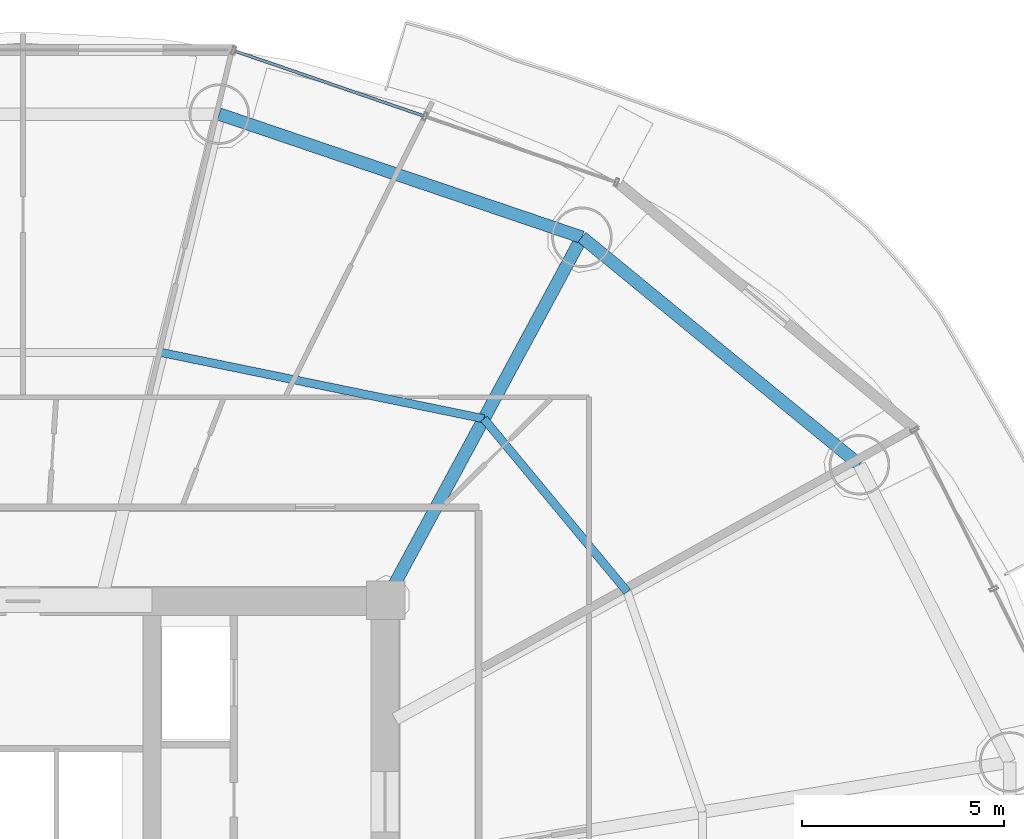
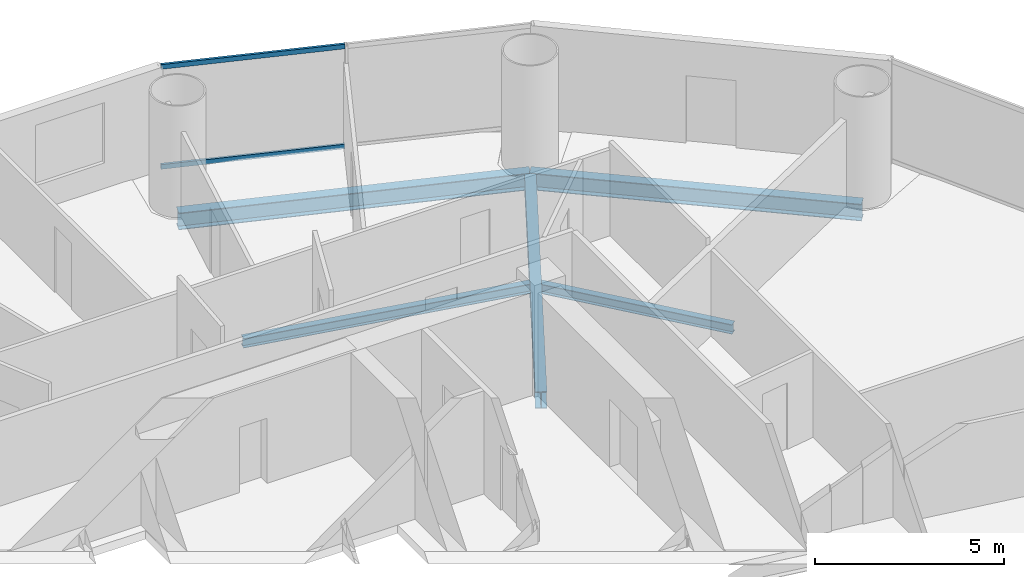
# One storey, part 19 of 29: 5 beams, 2 members, 1 element without a shape of its own.
"""IFC4 building model written with IfcOpenShell, lengths in metres."""

import ifcopenshell
import ifcopenshell.guid

model = None  # the IFC model being written
_history = None  # IfcOwnerHistory: only IFC2X3 demands one
_inside = {}  # id of a spatial element -> (the spatial element, [elements in it])
_under = {}  # id of a project, library or spatial element -> (it, [spatial elements below it])
_declared = {}  # id of a project -> (the project, [libraries it declares])
_typed = {}  # id of a type object -> (the type object, [elements of that type])
_made_of = {}  # id of a material, layer set ... -> (it, [elements and type objects made of it])


def new_model(schema):
    """Start an empty IFC model of exactly this schema.

    Asked for "IFC4X3", IfcOpenShell would pick the latest addendum, in which some entities
    have other attributes; the version numbers below select the first issue.
    IFC2X3 requires an IfcOwnerHistory on every rooted entity: one is made here for all.
    """
    global model, _history
    if schema == "IFC4X3":
        model = ifcopenshell.file(schema_version=(4, 3, 0, 0))
    else:
        model = ifcopenshell.file(schema=schema)
    _inside.clear()
    _under.clear()
    _declared.clear()
    _typed.clear()
    _made_of.clear()
    _history = None
    if model.schema == "IFC2X3":
        org = make("IfcOrganization", Name="unknown")
        user = make(
            "IfcPersonAndOrganization",
            ThePerson=make("IfcPerson", FamilyName="unknown"),
            TheOrganization=org,
        )
        app = make(
            "IfcApplication",
            ApplicationDeveloper=org,
            Version="unknown",
            ApplicationFullName="unknown",
            ApplicationIdentifier="unknown",
        )
        _history = make(
            "IfcOwnerHistory",
            OwningUser=user,
            OwningApplication=app,
            ChangeAction="ADDED",
            CreationDate=0,
        )
    return model


def make(cls, **values):
    """One entity of the class cls with the attributes given. An attribute that is None is left unset."""
    return model.create_entity(
        cls, **{name: value for name, value in values.items() if value is not None}
    )


def rooted(cls, **values):
    """An entity with a GlobalId (a new one), such as an element, a storey or a relation."""
    return make(cls, GlobalId=ifcopenshell.guid.new(), OwnerHistory=_history, **values)


def si_unit(unit_type, name, prefix=None):
    """IfcSIUnit, for example si_unit("LENGTHUNIT", "METRE", prefix="MILLI")."""
    return make("IfcSIUnit", UnitType=unit_type, Prefix=prefix, Name=name)


def assignment(units):
    """IfcUnitAssignment: the units of a project."""
    return None if units is None else make("IfcUnitAssignment", Units=units)


def point(xyz):
    """IfcCartesianPoint."""
    return None if xyz is None else make("IfcCartesianPoint", Coordinates=xyz)


def direction(xyz):
    """IfcDirection."""
    return None if xyz is None else make("IfcDirection", DirectionRatios=xyz)


def frame(location, z_axis=None, x_axis=None):
    """IfcAxis2Placement3D, a coordinate frame: its origin and axes. An axis left out is left unset."""
    return make(
        "IfcAxis2Placement3D",
        Location=point(location),
        Axis=direction(z_axis),
        RefDirection=direction(x_axis),
    )


def frame_2d(location, x_axis=None):
    """IfcAxis2Placement2D, a coordinate frame in the plane: its origin and x axis."""
    return make(
        "IfcAxis2Placement2D", Location=point(location), RefDirection=direction(x_axis)
    )


def origin():
    """The frame at (0, 0, 0) with its axes left unset."""
    return frame((0.0, 0.0, 0.0))


def origin_2d():
    """The frame at (0, 0) in the plane with its x axis left unset."""
    return frame_2d((0.0, 0.0))


def place(relative_to, where):
    """IfcLocalPlacement: puts the frame where relative to a parent placement (None: the world)."""
    return make(
        "IfcLocalPlacement", PlacementRelTo=relative_to, RelativePlacement=where
    )


def context(
    kind, dimensions, precision=None, world=None, true_north=None, identifier=None
):
    """IfcGeometricRepresentationContext, for example the 3D "Model" context."""
    return make(
        "IfcGeometricRepresentationContext",
        ContextIdentifier=identifier,
        ContextType=kind,
        CoordinateSpaceDimension=dimensions,
        Precision=precision,
        WorldCoordinateSystem=world,
        TrueNorth=true_north,
    )


def subcontext(parent, identifier, kind, view, scale=None):
    """IfcGeometricRepresentationSubContext, for example "Body" below "Model"."""
    return make(
        "IfcGeometricRepresentationSubContext",
        ContextIdentifier=identifier,
        ContextType=kind,
        ParentContext=parent,
        TargetScale=scale,
        TargetView=view,
    )


def project(units=None, contexts=None):
    """IfcProject with its units and contexts."""
    return rooted(
        "IfcProject",
        Name="project",
        RepresentationContexts=contexts,
        UnitsInContext=assignment(units),
    )


def spatial(cls, under=None, at=None, **own):
    """A site, building, storey or space (cls), placed at a placement, below another one or the project."""
    s = rooted(cls, ObjectPlacement=at, **own)
    if under is not None:
        _under.setdefault(under.id(), (under, []))[1].append(s)
    return s


def profile(cls, at=None, kind="AREA", **sizes):
    """A parametric profile (cls). Its sizes go by their IFC names, for example OverallWidth=200.0."""
    return make(cls, ProfileType=kind, Position=at, **sizes)


def hollow_rectangle(**sizes):
    """IfcRectangleHollowProfileDef."""
    return profile("IfcRectangleHollowProfileDef", **sizes)


def i_section(**sizes):
    """IfcIShapeProfileDef."""
    return profile("IfcIShapeProfileDef", **sizes)


def extrude(swept, where, along, depth):
    """IfcExtrudedAreaSolid: the profile swept, set in the frame where, extruded along a direction by depth."""
    return make(
        "IfcExtrudedAreaSolid",
        SweptArea=swept,
        Position=where,
        ExtrudedDirection=direction(along),
        Depth=depth,
    )


def shape(context_of_items, identifier, shape_type, items):
    """IfcShapeRepresentation: the items that make up one representation, for example the "Body"."""
    return make(
        "IfcShapeRepresentation",
        ContextOfItems=context_of_items,
        RepresentationIdentifier=identifier,
        RepresentationType=shape_type,
        Items=items,
    )


def source(mapping_origin, context_of_items, identifier, shape_type, items):
    """IfcRepresentationMap: a shape defined once, which mapped items show again and again."""
    return make(
        "IfcRepresentationMap",
        MappingOrigin=mapping_origin,
        MappedRepresentation=shape(context_of_items, identifier, shape_type, items),
    )


def transform(
    local_origin,
    x_axis=None,
    y_axis=None,
    z_axis=None,
    scale=None,
    scale2=None,
    scale3=None,
    uniform=True,
):
    """IfcCartesianTransformationOperator3D, or its non-uniform kind. x_axis, y_axis, z_axis: its Axis1, 2, 3."""
    if uniform:
        return make(
            "IfcCartesianTransformationOperator3D",
            Axis1=direction(x_axis),
            Axis2=direction(y_axis),
            LocalOrigin=point(local_origin),
            Scale=scale,
            Axis3=direction(z_axis),
        )
    return make(
        "IfcCartesianTransformationOperator3DnonUniform",
        Axis1=direction(x_axis),
        Axis2=direction(y_axis),
        LocalOrigin=point(local_origin),
        Scale=scale,
        Axis3=direction(z_axis),
        Scale2=scale2,
        Scale3=scale3,
    )


def mapped(mapping_source, mapping_target):
    """IfcMappedItem: shows the shape of a source again, moved by a transform."""
    return make(
        "IfcMappedItem", MappingSource=mapping_source, MappingTarget=mapping_target
    )


def material(Name=None, Category=None):
    """IfcMaterial."""
    return make("IfcMaterial", Name=Name, Category=Category)


def material_profile(
    of_material, cross_section, Name=None, Category=None, Priority=None
):
    """IfcMaterialProfile: a cross section and its material."""
    return make(
        "IfcMaterialProfile",
        Name=Name,
        Material=of_material,
        Profile=cross_section,
        Priority=Priority,
        Category=Category,
    )


def profile_set(profiles, Name=None, composite=None):
    """IfcMaterialProfileSet."""
    return make(
        "IfcMaterialProfileSet",
        Name=Name,
        MaterialProfiles=profiles,
        CompositeProfile=composite,
    )


def made_of(thing, what):
    """Note that an element or type object is made of a material, layer set ...; save() writes the relation."""
    if what is not None:
        _made_of.setdefault(what.id(), (what, []))[1].append(thing)
    return thing


def type_object(cls, material=None, **own):
    """A type object (cls), such as IfcWallType, which elements share."""
    return made_of(rooted(cls, **own), material)


def element(
    cls,
    number,
    at=None,
    inside=None,
    cuts=None,
    type_object=None,
    material=None,
    context=None,
    identifier="Body",
    shape_type=None,
    held_by="IfcProductDefinitionShape",
    body=None,
    shapes=None,
    **own,
):
    """One element of the class cls, such as IfcWall. Its Tag is "e" and its number.

    at: its placement. inside: the storey or other place that contains it. cuts: it is an
    opening in that element (IfcRelVoidsElement). A single representation is given by context,
    identifier, shape_type and body (its items); several are given by shapes. held_by: the class
    of the entity that holds the representations. save() writes the other relations.
    """
    e = rooted(cls, Tag="e%d" % number, ObjectPlacement=at, **own)
    if body is not None:
        shapes = [shape(context, identifier, shape_type, body)]
    if shapes is not None:
        e.Representation = make(held_by, Representations=shapes)
    if inside is not None:
        _inside.setdefault(inside.id(), (inside, []))[1].append(e)
    if cuts is not None:
        rooted(
            "IfcRelVoidsElement", RelatingBuildingElement=cuts, RelatedOpeningElement=e
        )
    if type_object is not None:
        _typed.setdefault(type_object.id(), (type_object, []))[1].append(e)
    return made_of(e, material)


def aggregate(whole, parts):
    """IfcRelAggregates: a whole, such as a stair, and the parts it consists of."""
    return rooted("IfcRelAggregates", RelatingObject=whole, RelatedObjects=parts)


def save(model, path):
    """Write the relations noted so far, then the file.

    IfcRelAggregates (storeys below a building ...), IfcRelContainedInSpatialStructure (elements
    in a storey), IfcRelDefinesByType, IfcRelAssociatesMaterial and IfcRelDeclares: one each for
    every whole, place, type object, material and project.
    """
    for whole, parts in _under.values():
        aggregate(whole, parts)
    for where, things in _inside.values():
        rooted(
            "IfcRelContainedInSpatialStructure",
            RelatedElements=things,
            RelatingStructure=where,
        )
    for kind, things in _typed.values():
        rooted("IfcRelDefinesByType", RelatedObjects=things, RelatingType=kind)
    for what, things in _made_of.values():
        rooted("IfcRelAssociatesMaterial", RelatedObjects=things, RelatingMaterial=what)
    for by, libraries in _declared.values():
        rooted("IfcRelDeclares", RelatingContext=by, RelatedDefinitions=libraries)
    model.write(path)


model = new_model("IFC4")

# Units and contexts
model_context = context("Model", 3, precision=1e-05, world=origin(), true_north=direction((-0.2419218956, 0.970295726276)))
body_context = subcontext(model_context, "Body", "Model", "MODEL_VIEW")
ifc_project = project(units=[si_unit("LENGTHUNIT", "METRE"), si_unit("AREAUNIT", "SQUARE_METRE"), si_unit("VOLUMEUNIT", "CUBIC_METRE"), si_unit("PLANEANGLEUNIT", "RADIAN"), si_unit("MASSUNIT", "GRAM", prefix="KILO")], contexts=[model_context])

# Site, building, storey
site_placement = place(None, origin())
site = spatial("IfcSite", under=ifc_project, at=site_placement, CompositionType="ELEMENT")
building_placement = place(site_placement, origin())
building = spatial("IfcBuilding", under=site, at=building_placement, Name="Cobrevalo Terracotta Tower", CompositionType="ELEMENT")
storey_placement = place(building_placement, frame((0.0, 0.0, 94.199951171875)))
storey = spatial("IfcBuildingStorey", under=building, at=storey_placement, Name="L24", CompositionType="ELEMENT", Elevation=94.199951171875)

# Beams
ifc_material_1 = material(Name="Steel S355", Category="steel")
ifc_material_profile_1 = material_profile(ifc_material_1, i_section(OverallWidth=0.31201171875, OverallDepth=0.54296875, WebThickness=0.0126953125, FlangeThickness=0.020263671875, at=origin_2d()), Name="W 530x150")
ifc_profile_set_1 = profile_set([ifc_material_profile_1], Name="Steel S355")
beam_type_1 = type_object("IfcBeamType", Name="Structural Beam W 530x150 (Steel S355)", PredefinedType="BEAM", material=ifc_profile_set_1)
beam_1_placement = place(storey_placement, frame((51.861572265625, 43.803466796875, -0.54638671875), z_axis=(-0.475128224431, -0.879916570107, 0.0), x_axis=(0.879916570107, -0.475128224431, 0.0)))
element("IfcBeam", 1, at=beam_1_placement, inside=storey, type_object=beam_type_1, Name="L24 radial floor girder 03", PredefinedType="BEAM", context=body_context, shape_type="SweptSolid", body=[
    extrude(i_section(OverallWidth=0.31201171875, OverallDepth=0.54296875, WebThickness=0.0126953125, FlangeThickness=0.020263671875, at=origin_2d()), origin(), (0.0, 0.0, 1.0), 10.232177734375),
])
ifc_material_profile_2 = material_profile(ifc_material_1, i_section(OverallWidth=0.2041015625, OverallDepth=0.305908203125, WebThickness=0.008544921875, FlangeThickness=0.0146484375, at=origin_2d()), Name="W 310x67")
ifc_profile_set_2 = profile_set([ifc_material_profile_2], Name="Steel S355")
beam_type_2 = type_object("IfcBeamType", Name="Structural Joist W 310x67 (Steel S355)", PredefinedType="JOIST", material=ifc_profile_set_2)
beam_2_placement = place(storey_placement, frame((52.987548828125, 35.00830078125, -0.427978515625), z_axis=(-0.6379592588, 0.77007011636, 0.0), x_axis=(-0.77007011636, -0.6379592588, 0.0)))
element("IfcBeam", 2, at=beam_2_placement, inside=storey, type_object=beam_type_2, Name="L24 circumferential secondary floor joist 02", PredefinedType="JOIST", context=body_context, shape_type="SweptSolid", body=[
    extrude(i_section(OverallWidth=0.2041015625, OverallDepth=0.305908203125, WebThickness=0.008544921875, FlangeThickness=0.0146484375, at=origin_2d()), origin(), (0.0, 0.0, 1.0), 5.575439453125),
])
beam_3_placement = place(storey_placement, frame((49.4306640625, 39.3017578125, -0.427978515625), z_axis=(-0.979574469315, 0.201081722357, 0.0), x_axis=(-0.201081722357, -0.979574469315, 0.0)))
element("IfcBeam", 3, at=beam_3_placement, inside=storey, type_object=beam_type_2, Name="L24 circumferential secondary floor joist 03", PredefinedType="JOIST", context=body_context, shape_type="SweptSolid", body=[
    extrude(i_section(OverallWidth=0.2041015625, OverallDepth=0.305908203125, WebThickness=0.008544921875, FlangeThickness=0.0146484375, at=origin_2d()), origin(), (0.0, 0.0, 1.0), 8.1650390625),
])
ifc_material_profile_3 = material_profile(ifc_material_1, i_section(OverallWidth=0.31201171875, OverallDepth=0.54296875, WebThickness=0.0126953125, FlangeThickness=0.020263671875, at=origin_2d()), Name="W 530x150")
ifc_profile_set_3 = profile_set([ifc_material_profile_3], Name="Steel S355")
beam_type_3 = type_object("IfcBeamType", Name="Structural Spandrel W 530x150 (Steel S355)", PredefinedType="SPANDREL", material=ifc_profile_set_3)
beam_4_placement = place(storey_placement, frame((58.7451171875, 38.161376953125, -0.54638671875), z_axis=(-0.773400923541, 0.633917196064, 0.0), x_axis=(-0.633917196064, -0.773400923541, 0.0)))
element("IfcBeam", 4, at=beam_4_placement, inside=storey, type_object=beam_type_3, Name="L24 perimeter ring spandrel 02", PredefinedType="SPANDREL", context=body_context, shape_type="SweptSolid", body=[
    extrude(i_section(OverallWidth=0.31201171875, OverallDepth=0.54296875, WebThickness=0.0126953125, FlangeThickness=0.020263671875, at=origin_2d()), origin(), (0.0, 0.0, 1.0), 8.900390625),
])
beam_5_placement = place(storey_placement, frame((51.861572265625, 43.803466796875, -0.54638671875), z_axis=(-0.946910528816, 0.32149720126, 0.0), x_axis=(-0.32149720126, -0.946910528816, 0.0)))
element("IfcBeam", 5, at=beam_5_placement, inside=storey, type_object=beam_type_3, Name="L24 perimeter ring spandrel 03", PredefinedType="SPANDREL", context=body_context, shape_type="SweptSolid", body=[
    extrude(i_section(OverallWidth=0.31201171875, OverallDepth=0.54296875, WebThickness=0.0126953125, FlangeThickness=0.020263671875, at=origin_2d()), origin(), (0.0, 0.0, 1.0), 9.498291015625),
])

# Curtain wall, members
ifc_material_2 = material(Name="Anodized aluminium", Category="aluminium")
curtain_wall_type = type_object("IfcCurtainWallType", Name="Lower-tower unitised acoustic low-E curtain wall CW-U1", PredefinedType="NOTDEFINED", material=ifc_material_2)
curtain_wall_placement = place(storey_placement, origin())
curtain_wall = element("IfcCurtainWall", 6, at=curtain_wall_placement, inside=storey, type_object=curtain_wall_type, Name="L24 curtain wall CW-L24-S03", PredefinedType="NOTDEFINED")
ifc_material_profile_4 = material_profile(ifc_material_2, hollow_rectangle(XDim=0.074951171875, YDim=0.14990234375, WallThickness=0.00439453125, at=origin_2d()), Name="CWT 75x150")
ifc_profile_set_4 = profile_set([ifc_material_profile_4], Name="Anodized aluminium")
member_type = type_object("IfcMemberType", Name="Tower unitised aluminium transom 75x150", PredefinedType="USERDEFINED", material=ifc_profile_set_4)
shared_shape = source(origin(), body_context, "Body", "SweptSolid", [
    extrude(hollow_rectangle(XDim=0.074951171875, YDim=0.14990234375, WallThickness=0.00439453125, at=origin_2d()), origin(), (0.0, 0.0, 1.0), 4.944580078125),
])
member_1_placement = place(storey_placement, frame((47.934814453125, 46.811279296875, 0.050048828125), z_axis=(-0.945597859971, 0.32533780478, 0.0), x_axis=(-0.32533780478, -0.945597859971, 0.0)))
member_1 = element("IfcMember", 7, at=member_1_placement, type_object=member_type, Name="CW-L24-S03 transom B02-T1", ObjectType="TRANSOM", PredefinedType="USERDEFINED", context=body_context, shape_type="MappedRepresentation", body=[
    mapped(shared_shape, transform((0.0, 0.0, 0.0), scale=1.0)),
])
member_2_placement = place(storey_placement, frame((47.934814453125, 46.811279296875, 3.275146484375), z_axis=(-0.945597859971, 0.32533780478, 0.0), x_axis=(-0.32533780478, -0.945597859971, 0.0)))
member_2 = element("IfcMember", 8, at=member_2_placement, type_object=member_type, Name="CW-L24-S03 transom B02-T2", ObjectType="TRANSOM", PredefinedType="USERDEFINED", context=body_context, shape_type="MappedRepresentation", body=[
    mapped(shared_shape, transform((0.0, 0.0, 0.0), scale=1.0)),
])
aggregate(curtain_wall, [member_1, member_2])

save(model, "model.ifc")
